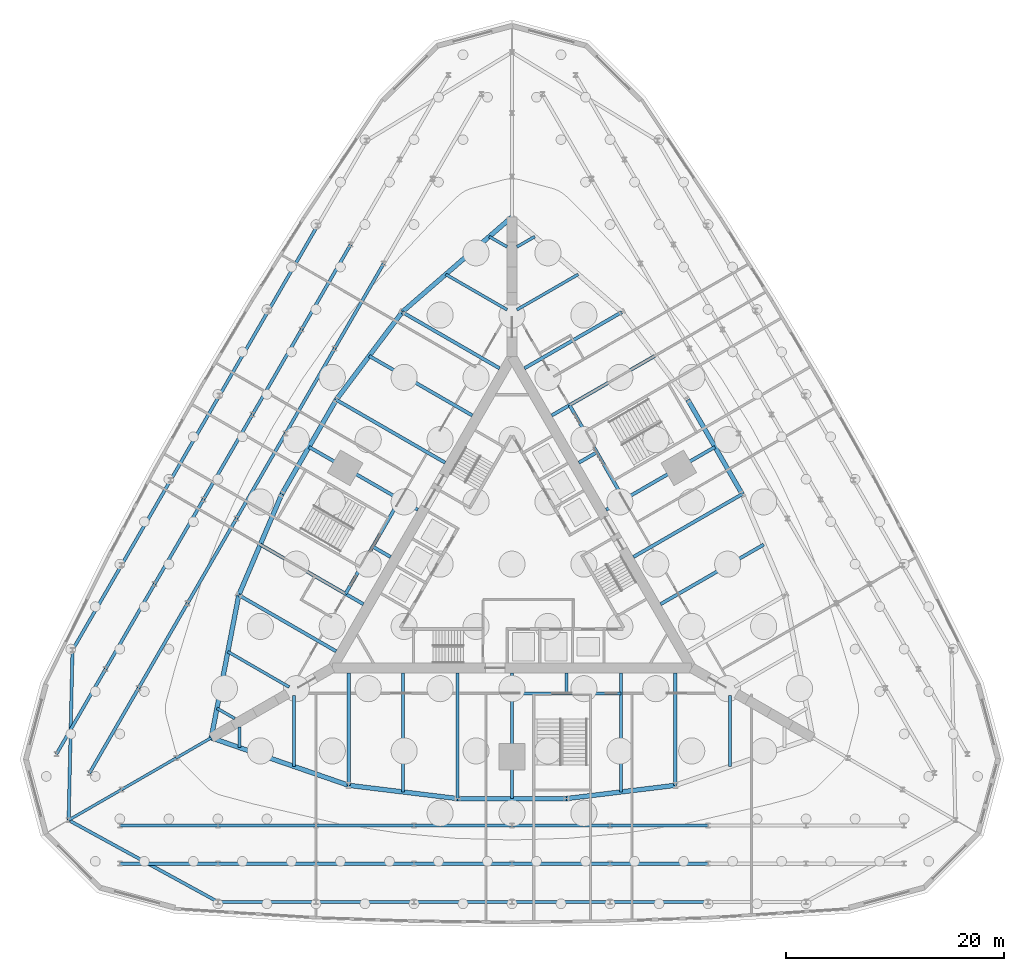
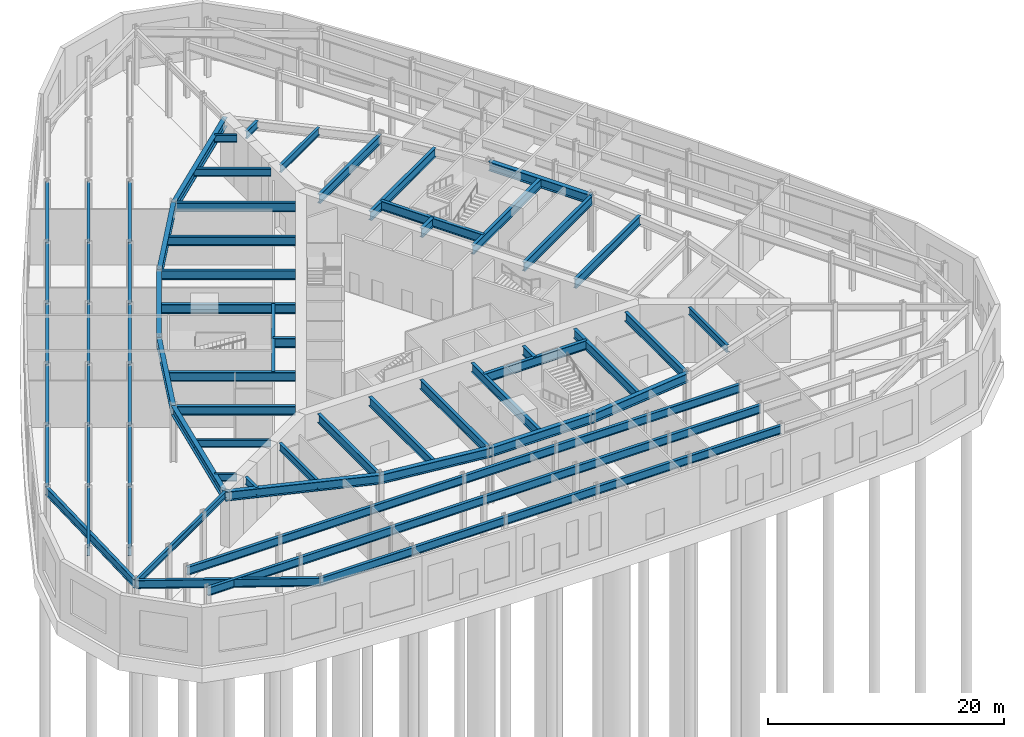
# One storey, part 7 of 17: 81 beams.
"""IFC4 building model written with IfcOpenShell, lengths in metres."""

from ifc_helpers import new_model, si_unit, direction, frame, origin, origin_2d, place, context, subcontext, project, spatial, i_section, extrude, material, material_profile, profile_set, type_object, element, save


model = new_model("IFC4")

# Units and contexts
model_context = context("Model", 3, precision=1e-05, world=origin(), true_north=direction((0.0, 1.0)))
body_context = subcontext(model_context, "Body", "Model", "MODEL_VIEW")
ifc_project = project(units=[si_unit("LENGTHUNIT", "METRE"), si_unit("AREAUNIT", "SQUARE_METRE"), si_unit("VOLUMEUNIT", "CUBIC_METRE"), si_unit("PLANEANGLEUNIT", "RADIAN"), si_unit("MASSUNIT", "GRAM", prefix="KILO")], contexts=[model_context])

# Site, building, storey
site_placement = place(None, origin())
site = spatial("IfcSite", under=ifc_project, at=site_placement, CompositionType="ELEMENT")
building_placement = place(site_placement, origin())
building = spatial("IfcBuilding", under=site, at=building_placement, Name="Trikona Tower", CompositionType="ELEMENT")
storey_placement = place(building_placement, origin())
storey = spatial("IfcBuildingStorey", under=building, at=storey_placement, Name="L00", CompositionType="ELEMENT", Elevation=0.0)

# Beams
ifc_material_1 = material(Name="Steel ASTM A992 Grade 50", Category="steel")
ifc_material_profile_1 = material_profile(ifc_material_1, i_section(OverallWidth=0.25390625, OverallDepth=0.683349609375, WebThickness=0.012451171875, FlangeThickness=0.01904296875, at=origin_2d()), Name="W27X94")
ifc_profile_set_1 = profile_set([ifc_material_profile_1], Name="Steel ASTM A992 Grade 50")
beam_type_1 = type_object("IfcBeamType", Name="Steel beam W27x94 (pod radial)", PredefinedType="BEAM", material=ifc_profile_set_1)
beam_1_placement = place(storey_placement, frame((-35.853515625, -20.699951171875, 5.408447265625), z_axis=(-0.866015695474, -0.500016814911, 0.0), x_axis=(0.500016814911, -0.866015695474, 0.0)))
element("IfcBeam", 1, at=beam_1_placement, inside=storey, type_object=beam_type_1, Name="Podium beam L01 CB20", PredefinedType="BEAM", context=body_context, shape_type="SweptSolid", body=[
    extrude(i_section(OverallWidth=0.25390625, OverallDepth=0.683349609375, WebThickness=0.012451171875, FlangeThickness=0.01904296875, at=origin_2d()), origin(), (0.0, 0.0, 1.0), 5.599853515625),
])
beam_2_placement = place(storey_placement, frame((-30.83056640625, -17.800048828125, 5.408447265625), z_axis=(-0.866032775405, -0.499987231761, 0.0), x_axis=(0.499987231761, -0.866032775405, 0.0)))
element("IfcBeam", 2, at=beam_2_placement, inside=storey, type_object=beam_type_1, Name="Podium beam L01 CB21", PredefinedType="BEAM", context=body_context, shape_type="SweptSolid", body=[
    extrude(i_section(OverallWidth=0.25390625, OverallDepth=0.683349609375, WebThickness=0.012451171875, FlangeThickness=0.01904296875, at=origin_2d()), origin(), (0.0, 0.0, 1.0), 5.800048828125),
])
beam_3_placement = place(storey_placement, frame((-27.612060546875, -15.94189453125, 5.408447265625), z_axis=(-0.866031337506, -0.499989722352, 0.0), x_axis=(0.499989722352, -0.866031337506, 0.0)))
element("IfcBeam", 3, at=beam_3_placement, inside=storey, type_object=beam_type_1, Name="Podium beam L01 RKK2D35.6", PredefinedType="BEAM", context=body_context, shape_type="SweptSolid", body=[
    extrude(i_section(OverallWidth=0.25390625, OverallDepth=0.683349609375, WebThickness=0.012451171875, FlangeThickness=0.01904296875, at=origin_2d()), origin(), (0.0, 0.0, 1.0), 3.71630859375),
])
ifc_material_2 = material(Name="Steel ASTM A992 Grade 50", Category="steel")
ifc_material_profile_2 = material_profile(ifc_material_2, i_section(OverallWidth=0.2666015625, OverallDepth=0.76953125, WebThickness=0.015625, FlangeThickness=0.025390625, at=origin_2d()), Name="W30X132")
ifc_profile_set_2 = profile_set([ifc_material_profile_2], Name="Steel ASTM A992 Grade 50")
beam_type_2 = type_object("IfcBeamType", Name="Steel beam W30x132 (wedge)", PredefinedType="BEAM", material=ifc_profile_set_2)
beam_4_placement = place(storey_placement, frame((-25.0, -14.953369140625, 5.365234375), z_axis=(0.0, -1.0, 0.0), x_axis=(1.0, 0.0, 0.0)))
element("IfcBeam", 4, at=beam_4_placement, inside=storey, type_object=beam_type_2, Name="Floor beam L01 F1 u-25", PredefinedType="BEAM", context=body_context, shape_type="SweptSolid", body=[
    extrude(i_section(OverallWidth=0.2666015625, OverallDepth=0.76953125, WebThickness=0.015625, FlangeThickness=0.025390625, at=origin_2d()), origin(), (0.0, 0.0, 1.0), 1.890380859375),
])
for number, where, z_axis, x_axis, name in (
    (5, (-20.0, -12.066650390625, 5.365234375), (0.0, -1.0, 0.0), (1.0, 0.0, 0.0), "Floor beam L01 F1 u-20"),
    (6, (20.0, -12.066650390625, 5.365234375), (0.0, -1.0, 0.0), (1.0, 0.0, 0.0), "Floor beam L01 F1 u20"),
    (7, (0.449951171875, 23.353759765625, 5.365234375), (0.866022504693, 0.50000502134, 0.0), (-0.50000502134, 0.866022504693, 0.0), "Floor beam L01 F2 u20"),
):
    element("IfcBeam", number, at=place(storey_placement, frame(where, z_axis=z_axis, x_axis=x_axis)), inside=storey, type_object=beam_type_2, Name=name, PredefinedType="BEAM", context=body_context, shape_type="SweptSolid", body=[
        extrude(i_section(OverallWidth=0.2666015625, OverallDepth=0.76953125, WebThickness=0.015625, FlangeThickness=0.025390625, at=origin_2d()), origin(), (0.0, 0.0, 1.0), 6.5068359375),
    ])
for number, where, z_axis, x_axis, name in (
    (8, (0.449951171875, 29.127197265625, 5.365234375), (0.866009237431, 0.5000279999, 0.0), (-0.5000279999, 0.866009237431, 0.0), "Floor beam L01 F2 u25"),
    (9, (-0.449951171875, 29.127197265625, 5.365234375), (-0.866009237431, 0.5000279999, 0.0), (-0.5000279999, -0.866009237431, 0.0), "Floor beam L01 F3 u-25"),
):
    element("IfcBeam", number, at=place(storey_placement, frame(where, z_axis=z_axis, x_axis=x_axis)), inside=storey, type_object=beam_type_2, Name=name, PredefinedType="BEAM", context=body_context, shape_type="SweptSolid", body=[
        extrude(i_section(OverallWidth=0.2666015625, OverallDepth=0.76953125, WebThickness=0.015625, FlangeThickness=0.025390625, at=origin_2d()), origin(), (0.0, 0.0, 1.0), 1.890625),
    ])
for number, where, z_axis, x_axis, name in (
    (10, (-0.449951171875, 23.353759765625, 5.365234375), (-0.866022504693, 0.50000502134, 0.0), (-0.50000502134, -0.866022504693, 0.0), "Floor beam L01 F3 u-20"),
    (11, (-20.449951171875, -11.287109375, 5.365234375), (-0.866022504693, 0.50000502134, 0.0), (-0.50000502134, -0.866022504693, 0.0), "Floor beam L01 F3 u20"),
):
    element("IfcBeam", number, at=place(storey_placement, frame(where, z_axis=z_axis, x_axis=x_axis)), inside=storey, type_object=beam_type_2, Name=name, PredefinedType="BEAM", context=body_context, shape_type="SweptSolid", body=[
        extrude(i_section(OverallWidth=0.2666015625, OverallDepth=0.76953125, WebThickness=0.015625, FlangeThickness=0.025390625, at=origin_2d()), origin(), (0.0, 0.0, 1.0), 6.5068359375),
    ])
beam_5_placement = place(storey_placement, frame((-25.449951171875, -14.173828125, 5.365234375), z_axis=(-0.866065156741, 0.499931139538, 0.0), x_axis=(-0.499931139538, -0.866065156741, 0.0)))
element("IfcBeam", 12, at=beam_5_placement, inside=storey, type_object=beam_type_2, Name="Floor beam L01 F3 u25", PredefinedType="BEAM", context=body_context, shape_type="SweptSolid", body=[
    extrude(i_section(OverallWidth=0.2666015625, OverallDepth=0.76953125, WebThickness=0.015625, FlangeThickness=0.025390625, at=origin_2d()), origin(), (0.0, 0.0, 1.0), 1.890380859375),
])
ifc_material_3 = material(Name="Steel ASTM A992 Grade 50", Category="steel")
ifc_material_profile_3 = material_profile(ifc_material_3, i_section(OverallWidth=0.2919921875, OverallDepth=0.845703125, WebThickness=0.015380859375, FlangeThickness=0.0244140625, at=origin_2d()), Name="W33X141")
ifc_profile_set_3 = profile_set([ifc_material_profile_3], Name="Steel ASTM A992 Grade 50")
beam_type_3 = type_object("IfcBeamType", Name="Steel beam W33x141 (pod girder)", PredefinedType="BEAM", material=ifc_profile_set_3)
for number, where, z_axis, x_axis, name in (
    (13, (-36.0, -24.0, 5.3271484375), (1.0, 0.0, 0.0), (0.0, 1.0, 0.0), "Podium beam L01 GR24F0m36-R24F0m27"),
    (14, (-27.0, -24.0, 5.3271484375), (1.0, 0.0, 0.0), (0.0, 1.0, 0.0), "Podium beam L01 GR24F0m27-R24F0m18"),
    (15, (-18.0, -24.0, 5.3271484375), (1.0, 0.0, 0.0), (0.0, 1.0, 0.0), "Podium beam L01 GR24F0m18-R24F0m9"),
    (16, (-9.0, -24.0, 5.3271484375), (1.0, 0.0, 0.0), (0.0, 1.0, 0.0), "Podium beam L01 GR24F0m9-R24F0p0"),
    (17, (0.0, -24.0, 5.3271484375), (1.0, 0.0, 0.0), (0.0, 1.0, 0.0), "Podium beam L01 GR24F0p0-R24F0p9"),
    (18, (9.0, -24.0, 5.3271484375), (1.0, 0.0, 0.0), (0.0, 1.0, 0.0), "Podium beam L01 GR24F0p9-R24F0p18"),
    (19, (-36.0, -27.5, 5.3271484375), (1.0, 0.0, 0.0), (0.0, 1.0, 0.0), "Podium beam L01 GR27.5F0m36-R27.5F0m27"),
    (20, (-27.0, -27.5, 5.3271484375), (1.0, 0.0, 0.0), (0.0, 1.0, 0.0), "Podium beam L01 GR27.5F0m27-R27.5F0m18"),
    (21, (-18.0, -27.5, 5.3271484375), (1.0, 0.0, 0.0), (0.0, 1.0, 0.0), "Podium beam L01 GR27.5F0m18-R27.5F0m9"),
    (22, (-9.0, -27.5, 5.3271484375), (1.0, 0.0, 0.0), (0.0, 1.0, 0.0), "Podium beam L01 GR27.5F0m9-R27.5F0p0"),
    (23, (0.0, -27.5, 5.3271484375), (1.0, 0.0, 0.0), (0.0, 1.0, 0.0), "Podium beam L01 GR27.5F0p0-R27.5F0p9"),
    (24, (9.0, -27.5, 5.3271484375), (1.0, 0.0, 0.0), (0.0, 1.0, 0.0), "Podium beam L01 GR27.5F0p9-R27.5F0p18"),
    (25, (-27.0, -31.0, 5.3271484375), (1.0, 0.0, 0.0), (0.0, 1.0, 0.0), "Podium beam L01 GR31F0m27-R31F0m18"),
    (26, (-18.0, -31.0, 5.3271484375), (1.0, 0.0, 0.0), (0.0, 1.0, 0.0), "Podium beam L01 GR31F0m18-R31F0m9"),
    (27, (-9.0, -31.0, 5.3271484375), (1.0, 0.0, 0.0), (0.0, 1.0, 0.0), "Podium beam L01 GR31F0m9-R31F0p0"),
    (28, (0.0, -31.0, 5.3271484375), (1.0, 0.0, 0.0), (0.0, 1.0, 0.0), "Podium beam L01 GR31F0p0-R31F0p9"),
    (29, (9.0, -31.0, 5.3271484375), (1.0, 0.0, 0.0), (0.0, 1.0, 0.0), "Podium beam L01 GR31F0p9-R31F0p18"),
    (30, (-11.78466796875, 27.58837890625, 5.3271484375), (-0.5000018851, -0.866024315419, 0.0), (0.866024315419, -0.5000018851, 0.0), "Podium beam L01 GR24F2m18-R24F2m9"),
    (31, (-16.28466796875, 19.794189453125, 5.3271484375), (-0.5000018851, -0.866024315419, 0.0), (0.866024315419, -0.5000018851, 0.0), "Podium beam L01 GR24F2m9-R24F2p0"),
    (32, (-20.78466796875, 12.0, 5.3271484375), (-0.5000018851, -0.866024315419, 0.0), (0.866024315419, -0.5000018851, 0.0), "Podium beam L01 GR24F2p0-R24F2p9"),
    (33, (-25.28466796875, 4.205810546875, 5.3271484375), (-0.5000018851, -0.866024315419, 0.0), (0.866024315419, -0.5000018851, 0.0), "Podium beam L01 GR24F2p9-R24F2p18"),
):
    element("IfcBeam", number, at=place(storey_placement, frame(where, z_axis=z_axis, x_axis=x_axis)), inside=storey, type_object=beam_type_3, Name=name, PredefinedType="BEAM", context=body_context, shape_type="SweptSolid", body=[
        extrude(i_section(OverallWidth=0.2919921875, OverallDepth=0.845703125, WebThickness=0.015380859375, FlangeThickness=0.0244140625, at=origin_2d()), origin(), (0.0, 0.0, 1.0), 9.0),
    ])
beam_6_placement = place(storey_placement, frame((-29.78466796875, -3.58837890625, 5.3271484375), z_axis=(-0.499990139034, -0.866031096941, 0.0), x_axis=(0.866031096941, -0.499990139034, 0.0)))
element("IfcBeam", 34, at=beam_6_placement, inside=storey, type_object=beam_type_3, Name="Podium beam L01 GR24F2p18-R24F2p27", PredefinedType="BEAM", context=body_context, shape_type="SweptSolid", body=[
    extrude(i_section(OverallWidth=0.2919921875, OverallDepth=0.845703125, WebThickness=0.015380859375, FlangeThickness=0.0244140625, at=origin_2d()), origin(), (0.0, 0.0, 1.0), 9.000244140625),
])
for number, where, z_axis, x_axis, name in (
    (35, (-34.28466796875, -11.3828125, 5.3271484375), (-0.5000018851, -0.866024315419, 0.0), (0.866024315419, -0.5000018851, 0.0), "Podium beam L01 GR24F2p27-R24F2p36"),
    (36, (-14.815673828125, 29.33837890625, 5.3271484375), (-0.5000018851, -0.866024315419, 0.0), (0.866024315419, -0.5000018851, 0.0), "Podium beam L01 GR27.5F2m18-R27.5F2m9"),
    (37, (-19.315673828125, 21.544189453125, 5.3271484375), (-0.5000018851, -0.866024315419, 0.0), (0.866024315419, -0.5000018851, 0.0), "Podium beam L01 GR27.5F2m9-R27.5F2p0"),
    (38, (-23.815673828125, 13.75, 5.3271484375), (-0.5000018851, -0.866024315419, 0.0), (0.866024315419, -0.5000018851, 0.0), "Podium beam L01 GR27.5F2p0-R27.5F2p9"),
    (39, (-28.315673828125, 5.955810546875, 5.3271484375), (-0.5000018851, -0.866024315419, 0.0), (0.866024315419, -0.5000018851, 0.0), "Podium beam L01 GR27.5F2p9-R27.5F2p18"),
):
    element("IfcBeam", number, at=place(storey_placement, frame(where, z_axis=z_axis, x_axis=x_axis)), inside=storey, type_object=beam_type_3, Name=name, PredefinedType="BEAM", context=body_context, shape_type="SweptSolid", body=[
        extrude(i_section(OverallWidth=0.2919921875, OverallDepth=0.845703125, WebThickness=0.015380859375, FlangeThickness=0.0244140625, at=origin_2d()), origin(), (0.0, 0.0, 1.0), 9.0),
    ])
beam_7_placement = place(storey_placement, frame((-32.815673828125, -1.83837890625, 5.3271484375), z_axis=(-0.499990139034, -0.866031096941, 0.0), x_axis=(0.866031096941, -0.499990139034, 0.0)))
element("IfcBeam", 40, at=beam_7_placement, inside=storey, type_object=beam_type_3, Name="Podium beam L01 GR27.5F2p18-R27.5F2p27", PredefinedType="BEAM", context=body_context, shape_type="SweptSolid", body=[
    extrude(i_section(OverallWidth=0.2919921875, OverallDepth=0.845703125, WebThickness=0.015380859375, FlangeThickness=0.0244140625, at=origin_2d()), origin(), (0.0, 0.0, 1.0), 9.000244140625),
])
for number, where, z_axis, x_axis, name in (
    (41, (-37.315673828125, -9.6328125, 5.3271484375), (-0.5000018851, -0.866024315419, 0.0), (0.866024315419, -0.5000018851, 0.0), "Podium beam L01 GR27.5F2p27-R27.5F2p36"),
    (42, (-17.8466796875, 31.08837890625, 5.3271484375), (-0.5000018851, -0.866024315419, 0.0), (0.866024315419, -0.5000018851, 0.0), "Podium beam L01 GR31F2m18-R31F2m9"),
    (43, (-22.3466796875, 23.294189453125, 5.3271484375), (-0.5000018851, -0.866024315419, 0.0), (0.866024315419, -0.5000018851, 0.0), "Podium beam L01 GR31F2m9-R31F2p0"),
    (44, (-26.8466796875, 15.5, 5.3271484375), (-0.5000018851, -0.866024315419, 0.0), (0.866024315419, -0.5000018851, 0.0), "Podium beam L01 GR31F2p0-R31F2p9"),
    (45, (-31.3466796875, 7.705810546875, 5.3271484375), (-0.5000018851, -0.866024315419, 0.0), (0.866024315419, -0.5000018851, 0.0), "Podium beam L01 GR31F2p9-R31F2p18"),
):
    element("IfcBeam", number, at=place(storey_placement, frame(where, z_axis=z_axis, x_axis=x_axis)), inside=storey, type_object=beam_type_3, Name=name, PredefinedType="BEAM", context=body_context, shape_type="SweptSolid", body=[
        extrude(i_section(OverallWidth=0.2919921875, OverallDepth=0.845703125, WebThickness=0.015380859375, FlangeThickness=0.0244140625, at=origin_2d()), origin(), (0.0, 0.0, 1.0), 9.0),
    ])
beam_8_placement = place(storey_placement, frame((-35.8466796875, -0.08837890625, 5.3271484375), z_axis=(-0.499990139034, -0.866031096941, 0.0), x_axis=(0.866031096941, -0.499990139034, 0.0)))
element("IfcBeam", 46, at=beam_8_placement, inside=storey, type_object=beam_type_3, Name="Podium beam L01 GR31F2p18-R31F2p27", PredefinedType="BEAM", context=body_context, shape_type="SweptSolid", body=[
    extrude(i_section(OverallWidth=0.2919921875, OverallDepth=0.845703125, WebThickness=0.015380859375, FlangeThickness=0.0244140625, at=origin_2d()), origin(), (0.0, 0.0, 1.0), 9.000244140625),
])
for number, where, z_axis, x_axis, name in (
    (47, (-40.703125, -23.5, 5.3271484375), (0.022817969436, 0.999739636241, 0.0), (-0.999739636241, 0.022817969436, 0.0), "Podium beam L01 CK2D47-R31F2p27"),
    (48, (-40.703125, -23.5, 5.3271484375), (0.877206606487, -0.480113079947, 0.0), (0.480113079947, 0.877206606487, 0.0), "Podium beam L01 CK2D47-R31F0m27"),
):
    element("IfcBeam", number, at=place(storey_placement, frame(where, z_axis=z_axis, x_axis=x_axis)), inside=storey, type_object=beam_type_3, Name=name, PredefinedType="BEAM", context=body_context, shape_type="SweptSolid", body=[
        extrude(i_section(OverallWidth=0.2919921875, OverallDepth=0.845703125, WebThickness=0.015380859375, FlangeThickness=0.0244140625, at=origin_2d()), origin(), (0.0, 0.0, 1.0), 15.621337890625),
    ])
ifc_material_4 = material(Name="Steel ASTM A992 Grade 50", Category="steel")
ifc_material_profile_4 = material_profile(ifc_material_4, i_section(OverallWidth=0.307373046875, OverallDepth=0.9423828125, WebThickness=0.022216796875, FlangeThickness=0.039794921875, at=origin_2d()), Name="W36X232")
ifc_profile_set_4 = profile_set([ifc_material_profile_4], Name="Steel ASTM A992 Grade 50")
beam_type_4 = type_object("IfcBeamType", Name="Steel beam W36x232 (radial low)", PredefinedType="BEAM", material=ifc_profile_set_4)
beam_9_placement = place(storey_placement, frame((-15.0, -9.976318359375, 5.27880859375), z_axis=(0.0, -1.0, 0.0), x_axis=(1.0, 0.0, 0.0)))
element("IfcBeam", 49, at=beam_9_placement, inside=storey, type_object=beam_type_4, Name="Floor beam L01 F1 u-15", PredefinedType="BEAM", context=body_context, shape_type="SweptSolid", body=[
    extrude(i_section(OverallWidth=0.307373046875, OverallDepth=0.9423828125, WebThickness=0.022216796875, FlangeThickness=0.039794921875, at=origin_2d()), origin(), (0.0, 0.0, 1.0), 10.32666015625),
])
beam_10_placement = place(storey_placement, frame((-10.0, -9.976318359375, 5.27880859375), z_axis=(0.0, -1.0, 0.0), x_axis=(1.0, 0.0, 0.0)))
element("IfcBeam", 50, at=beam_10_placement, inside=storey, type_object=beam_type_4, Name="Floor beam L01 F1 u-10", PredefinedType="BEAM", context=body_context, shape_type="SweptSolid", body=[
    extrude(i_section(OverallWidth=0.307373046875, OverallDepth=0.9423828125, WebThickness=0.022216796875, FlangeThickness=0.039794921875, at=origin_2d()), origin(), (0.0, 0.0, 1.0), 10.935302734375),
])
for number, where, z_axis, x_axis, name in (
    (51, (-5.0, -9.976318359375, 5.27880859375), (0.0, -1.0, 0.0), (1.0, 0.0, 0.0), "Floor beam L01 F1 u-5"),
    (52, (0.0, -9.976318359375, 5.27880859375), (0.0, -1.0, 0.0), (1.0, 0.0, 0.0), "Floor beam L01 F1 u0"),
):
    element("IfcBeam", number, at=place(storey_placement, frame(where, z_axis=z_axis, x_axis=x_axis)), inside=storey, type_object=beam_type_4, Name=name, PredefinedType="BEAM", context=body_context, shape_type="SweptSolid", body=[
        extrude(i_section(OverallWidth=0.307373046875, OverallDepth=0.9423828125, WebThickness=0.022216796875, FlangeThickness=0.039794921875, at=origin_2d()), origin(), (0.0, 0.0, 1.0), 11.544189453125),
    ])
beam_11_placement = place(storey_placement, frame((5.0, -9.976318359375, 5.27880859375), z_axis=(0.0, -1.0, 0.0), x_axis=(1.0, 0.0, 0.0)))
element("IfcBeam", 53, at=beam_11_placement, inside=storey, type_object=beam_type_4, Name="Floor beam L01 F1 u5", PredefinedType="BEAM", context=body_context, shape_type="SweptSolid", body=[
    extrude(i_section(OverallWidth=0.307373046875, OverallDepth=0.9423828125, WebThickness=0.022216796875, FlangeThickness=0.039794921875, at=origin_2d()), origin(), (0.0, 0.0, 1.0), 1.89990234375),
])
beam_12_placement = place(storey_placement, frame((10.0, -9.976318359375, 5.27880859375), z_axis=(0.0, -1.0, 0.0), x_axis=(1.0, 0.0, 0.0)))
element("IfcBeam", 54, at=beam_12_placement, inside=storey, type_object=beam_type_4, Name="Floor beam L01 F1 u10", PredefinedType="BEAM", context=body_context, shape_type="SweptSolid", body=[
    extrude(i_section(OverallWidth=0.307373046875, OverallDepth=0.9423828125, WebThickness=0.022216796875, FlangeThickness=0.039794921875, at=origin_2d()), origin(), (0.0, 0.0, 1.0), 10.935302734375),
])
beam_13_placement = place(storey_placement, frame((15.0, -9.976318359375, 5.27880859375), z_axis=(0.0, -1.0, 0.0), x_axis=(1.0, 0.0, 0.0)))
element("IfcBeam", 55, at=beam_13_placement, inside=storey, type_object=beam_type_4, Name="Floor beam L01 F1 u15", PredefinedType="BEAM", context=body_context, shape_type="SweptSolid", body=[
    extrude(i_section(OverallWidth=0.307373046875, OverallDepth=0.9423828125, WebThickness=0.022216796875, FlangeThickness=0.039794921875, at=origin_2d()), origin(), (0.0, 0.0, 1.0), 10.32666015625),
])
beam_14_placement = place(storey_placement, frame((0.0, -11.876220703125, 5.27880859375), z_axis=(1.0, 0.0, 0.0), x_axis=(0.0, 1.0, 0.0)))
element("IfcBeam", 56, at=beam_14_placement, inside=storey, type_object=beam_type_4, Name="Trimmer beam L01 F1 podium stair", PredefinedType="BEAM", context=body_context, shape_type="SweptSolid", body=[
    extrude(i_section(OverallWidth=0.307373046875, OverallDepth=0.9423828125, WebThickness=0.022216796875, FlangeThickness=0.039794921875, at=origin_2d()), origin(), (0.0, 0.0, 1.0), 10.0),
])
beam_15_placement = place(storey_placement, frame((13.6396484375, -3.672119140625, 5.27880859375), z_axis=(0.866025348605, 0.500000095573, 0.0), x_axis=(-0.500000095573, 0.866025348605, 0.0)))
element("IfcBeam", 57, at=beam_15_placement, inside=storey, type_object=beam_type_4, Name="Floor beam L01 F2 u-10", PredefinedType="BEAM", context=body_context, shape_type="SweptSolid", body=[
    extrude(i_section(OverallWidth=0.307373046875, OverallDepth=0.9423828125, WebThickness=0.022216796875, FlangeThickness=0.039794921875, at=origin_2d()), origin(), (0.0, 0.0, 1.0), 10.935546875),
])
for number, where, z_axis, x_axis, name in (
    (58, (11.1396484375, 0.657958984375, 5.27880859375), (0.866020765707, 0.500008033299, 0.0), (-0.500008033299, 0.866020765707, 0.0), "Floor beam L01 F2 u-5"),
    (59, (8.6396484375, 4.988037109375, 5.27880859375), (0.866020765707, 0.500008033299, 0.0), (-0.500008033299, 0.866020765707, 0.0), "Floor beam L01 F2 u0"),
):
    element("IfcBeam", number, at=place(storey_placement, frame(where, z_axis=z_axis, x_axis=x_axis)), inside=storey, type_object=beam_type_4, Name=name, PredefinedType="BEAM", context=body_context, shape_type="SweptSolid", body=[
        extrude(i_section(OverallWidth=0.307373046875, OverallDepth=0.9423828125, WebThickness=0.022216796875, FlangeThickness=0.039794921875, at=origin_2d()), origin(), (0.0, 0.0, 1.0), 11.544189453125),
    ])
beam_16_placement = place(storey_placement, frame((6.1396484375, 9.318359375, 5.27880859375), z_axis=(0.866044365799, 0.499967155389, 0.0), x_axis=(-0.499967155389, 0.866044365799, 0.0)))
element("IfcBeam", 60, at=beam_16_placement, inside=storey, type_object=beam_type_4, Name="Floor beam L01 F2 u5", PredefinedType="BEAM", context=body_context, shape_type="SweptSolid", body=[
    extrude(i_section(OverallWidth=0.307373046875, OverallDepth=0.9423828125, WebThickness=0.022216796875, FlangeThickness=0.039794921875, at=origin_2d()), origin(), (0.0, 0.0, 1.0), 1.900146484375),
])
beam_17_placement = place(storey_placement, frame((3.6396484375, 13.6484375, 5.27880859375), z_axis=(0.866025348605, 0.500000095573, 0.0), x_axis=(-0.500000095573, 0.866025348605, 0.0)))
element("IfcBeam", 61, at=beam_17_placement, inside=storey, type_object=beam_type_4, Name="Floor beam L01 F2 u10", PredefinedType="BEAM", context=body_context, shape_type="SweptSolid", body=[
    extrude(i_section(OverallWidth=0.307373046875, OverallDepth=0.9423828125, WebThickness=0.022216796875, FlangeThickness=0.039794921875, at=origin_2d()), origin(), (0.0, 0.0, 1.0), 10.935546875),
])
beam_18_placement = place(storey_placement, frame((1.1396484375, 17.978515625, 5.27880859375), z_axis=(0.866030471684, 0.499991222037, 0.0), x_axis=(-0.499991222037, 0.866030471684, 0.0)))
element("IfcBeam", 62, at=beam_18_placement, inside=storey, type_object=beam_type_4, Name="Floor beam L01 F2 u15", PredefinedType="BEAM", context=body_context, shape_type="SweptSolid", body=[
    extrude(i_section(OverallWidth=0.307373046875, OverallDepth=0.9423828125, WebThickness=0.022216796875, FlangeThickness=0.039794921875, at=origin_2d()), origin(), (0.0, 0.0, 1.0), 10.326904296875),
])
beam_19_placement = place(storey_placement, frame((10.28515625, 5.93798828125, 5.27880859375), z_axis=(-0.499993662806, 0.866029062534, 0.0), x_axis=(-0.866029062534, -0.499993662806, 0.0)))
element("IfcBeam", 63, at=beam_19_placement, inside=storey, type_object=beam_type_4, Name="Trimmer beam L01 F2 podium stair", PredefinedType="BEAM", context=body_context, shape_type="SweptSolid", body=[
    extrude(i_section(OverallWidth=0.307373046875, OverallDepth=0.9423828125, WebThickness=0.022216796875, FlangeThickness=0.039794921875, at=origin_2d()), origin(), (0.0, 0.0, 1.0), 10.000244140625),
])
beam_20_placement = place(storey_placement, frame((-1.1396484375, 17.978515625, 5.27880859375), z_axis=(-0.866030471684, 0.499991222037, 0.0), x_axis=(-0.499991222037, -0.866030471684, 0.0)))
element("IfcBeam", 64, at=beam_20_placement, inside=storey, type_object=beam_type_4, Name="Floor beam L01 F3 u-15", PredefinedType="BEAM", context=body_context, shape_type="SweptSolid", body=[
    extrude(i_section(OverallWidth=0.307373046875, OverallDepth=0.9423828125, WebThickness=0.022216796875, FlangeThickness=0.039794921875, at=origin_2d()), origin(), (0.0, 0.0, 1.0), 10.326904296875),
])
beam_21_placement = place(storey_placement, frame((-3.6396484375, 13.6484375, 5.27880859375), z_axis=(-0.866025348605, 0.500000095573, 0.0), x_axis=(-0.500000095573, -0.866025348605, 0.0)))
element("IfcBeam", 65, at=beam_21_placement, inside=storey, type_object=beam_type_4, Name="Floor beam L01 F3 u-10", PredefinedType="BEAM", context=body_context, shape_type="SweptSolid", body=[
    extrude(i_section(OverallWidth=0.307373046875, OverallDepth=0.9423828125, WebThickness=0.022216796875, FlangeThickness=0.039794921875, at=origin_2d()), origin(), (0.0, 0.0, 1.0), 10.935546875),
])
for number, where, z_axis, x_axis, name in (
    (66, (-6.1396484375, 9.318359375, 5.27880859375), (-0.866029923217, 0.499992172032, 0.0), (-0.499992172032, -0.866029923217, 0.0), "Floor beam L01 F3 u-5"),
    (67, (-8.6396484375, 4.988037109375, 5.27880859375), (-0.866020765707, 0.500008033299, 0.0), (-0.500008033299, -0.866020765707, 0.0), "Floor beam L01 F3 u0"),
):
    element("IfcBeam", number, at=place(storey_placement, frame(where, z_axis=z_axis, x_axis=x_axis)), inside=storey, type_object=beam_type_4, Name=name, PredefinedType="BEAM", context=body_context, shape_type="SweptSolid", body=[
        extrude(i_section(OverallWidth=0.307373046875, OverallDepth=0.9423828125, WebThickness=0.022216796875, FlangeThickness=0.039794921875, at=origin_2d()), origin(), (0.0, 0.0, 1.0), 11.544189453125),
    ])
beam_22_placement = place(storey_placement, frame((-11.1396484375, 0.657958984375, 5.27880859375), z_axis=(-0.866044365799, 0.499967155389, 0.0), x_axis=(-0.499967155389, -0.866044365799, 0.0)))
element("IfcBeam", 68, at=beam_22_placement, inside=storey, type_object=beam_type_4, Name="Floor beam L01 F3 u5", PredefinedType="BEAM", context=body_context, shape_type="SweptSolid", body=[
    extrude(i_section(OverallWidth=0.307373046875, OverallDepth=0.9423828125, WebThickness=0.022216796875, FlangeThickness=0.039794921875, at=origin_2d()), origin(), (0.0, 0.0, 1.0), 1.900146484375),
])
beam_23_placement = place(storey_placement, frame((-13.6396484375, -3.672119140625, 5.27880859375), z_axis=(-0.866025348605, 0.500000095573, 0.0), x_axis=(-0.500000095573, -0.866025348605, 0.0)))
element("IfcBeam", 69, at=beam_23_placement, inside=storey, type_object=beam_type_4, Name="Floor beam L01 F3 u10", PredefinedType="BEAM", context=body_context, shape_type="SweptSolid", body=[
    extrude(i_section(OverallWidth=0.307373046875, OverallDepth=0.9423828125, WebThickness=0.022216796875, FlangeThickness=0.039794921875, at=origin_2d()), origin(), (0.0, 0.0, 1.0), 10.935546875),
])
beam_24_placement = place(storey_placement, frame((-16.1396484375, -8.002197265625, 5.27880859375), z_axis=(-0.866030471684, 0.499991222037, 0.0), x_axis=(-0.499991222037, -0.866030471684, 0.0)))
element("IfcBeam", 70, at=beam_24_placement, inside=storey, type_object=beam_type_4, Name="Floor beam L01 F3 u15", PredefinedType="BEAM", context=body_context, shape_type="SweptSolid", body=[
    extrude(i_section(OverallWidth=0.307373046875, OverallDepth=0.9423828125, WebThickness=0.022216796875, FlangeThickness=0.039794921875, at=origin_2d()), origin(), (0.0, 0.0, 1.0), 10.326904296875),
])
beam_25_placement = place(storey_placement, frame((-10.28515625, 5.93798828125, 5.27880859375), z_axis=(-0.500004234368, -0.866022959057, 0.0), x_axis=(0.866022959057, -0.500004234368, 0.0)))
element("IfcBeam", 71, at=beam_25_placement, inside=storey, type_object=beam_type_4, Name="Trimmer beam L01 F3 podium stair", PredefinedType="BEAM", context=body_context, shape_type="SweptSolid", body=[
    extrude(i_section(OverallWidth=0.307373046875, OverallDepth=0.9423828125, WebThickness=0.022216796875, FlangeThickness=0.039794921875, at=origin_2d()), origin(), (0.0, 0.0, 1.0), 10.0),
])
ifc_material_5 = material(Name="Steel ASTM A992 Grade 50", Category="steel")
ifc_material_profile_5 = material_profile(ifc_material_5, i_section(OverallWidth=0.424072265625, OverallDepth=0.947509765625, WebThickness=0.02392578125, FlangeThickness=0.042724609375, at=origin_2d()), Name="W36X302")
ifc_profile_set_5 = profile_set([ifc_material_profile_5], Name="Steel ASTM A992 Grade 50")
beam_type_5 = type_object("IfcBeamType", Name="Steel beam W36x302 (pod tower spandrel)", PredefinedType="BEAM", material=ifc_profile_set_5)
beam_26_placement = place(storey_placement, frame((-27.6103515625, -15.94091796875, 5.2763671875), z_axis=(0.945056965739, -0.326905692071, 0.0), x_axis=(0.326905692071, 0.945056965739, 0.0)))
element("IfcBeam", 72, at=beam_26_placement, inside=storey, type_object=beam_type_5, Name="Spandrel beam L01 F1-1", PredefinedType="BEAM", context=body_context, shape_type="SweptSolid", body=[
    extrude(i_section(OverallWidth=0.424072265625, OverallDepth=0.947509765625, WebThickness=0.02392578125, FlangeThickness=0.042724609375, at=origin_2d()), origin(), (0.0, 0.0, 1.0), 13.343505859375),
])
beam_27_placement = place(storey_placement, frame((-15.0, -20.302978515625, 5.2763671875), z_axis=(0.99266951126, -0.120860421207, 0.0), x_axis=(0.120860421207, 0.99266951126, 0.0)))
element("IfcBeam", 73, at=beam_27_placement, inside=storey, type_object=beam_type_5, Name="Spandrel beam L01 F1-2", PredefinedType="BEAM", context=body_context, shape_type="SweptSolid", body=[
    extrude(i_section(OverallWidth=0.424072265625, OverallDepth=0.947509765625, WebThickness=0.02392578125, FlangeThickness=0.042724609375, at=origin_2d()), origin(), (0.0, 0.0, 1.0), 10.07373046875),
])
beam_28_placement = place(storey_placement, frame((-5.0, -21.5205078125, 5.2763671875), z_axis=(1.0, 0.0, 0.0), x_axis=(0.0, 1.0, 0.0)))
element("IfcBeam", 74, at=beam_28_placement, inside=storey, type_object=beam_type_5, Name="Spandrel beam L01 F1-3", PredefinedType="BEAM", context=body_context, shape_type="SweptSolid", body=[
    extrude(i_section(OverallWidth=0.424072265625, OverallDepth=0.947509765625, WebThickness=0.02392578125, FlangeThickness=0.042724609375, at=origin_2d()), origin(), (0.0, 0.0, 1.0), 10.0),
])
beam_29_placement = place(storey_placement, frame((5.0, -21.5205078125, 5.2763671875), z_axis=(0.99266951126, 0.120860421207, 0.0), x_axis=(-0.120860421207, 0.99266951126, 0.0)))
element("IfcBeam", 75, at=beam_29_placement, inside=storey, type_object=beam_type_5, Name="Spandrel beam L01 F1-4", PredefinedType="BEAM", context=body_context, shape_type="SweptSolid", body=[
    extrude(i_section(OverallWidth=0.424072265625, OverallDepth=0.947509765625, WebThickness=0.02392578125, FlangeThickness=0.042724609375, at=origin_2d()), origin(), (0.0, 0.0, 1.0), 10.07373046875),
])
beam_30_placement = place(storey_placement, frame((21.13720703125, 6.43017578125, 5.2763671875), z_axis=(-0.500004234368, 0.866022959057, 0.0), x_axis=(-0.866022959057, -0.500004234368, 0.0)))
element("IfcBeam", 76, at=beam_30_placement, inside=storey, type_object=beam_type_5, Name="Spandrel beam L01 F2-3", PredefinedType="BEAM", context=body_context, shape_type="SweptSolid", body=[
    extrude(i_section(OverallWidth=0.424072265625, OverallDepth=0.947509765625, WebThickness=0.02392578125, FlangeThickness=0.042724609375, at=origin_2d()), origin(), (0.0, 0.0, 1.0), 10.0),
])
beam_31_placement = place(storey_placement, frame((0.0, 31.881591796875, 5.2763671875), z_axis=(-0.755646822726, -0.654979296851, 0.0), x_axis=(0.654979296851, -0.755646822726, 0.0)))
element("IfcBeam", 77, at=beam_31_placement, inside=storey, type_object=beam_type_5, Name="Spandrel beam L01 F3-1", PredefinedType="BEAM", context=body_context, shape_type="SweptSolid", body=[
    extrude(i_section(OverallWidth=0.424072265625, OverallDepth=0.947509765625, WebThickness=0.02392578125, FlangeThickness=0.042724609375, at=origin_2d()), origin(), (0.0, 0.0, 1.0), 13.343505859375),
])
beam_32_placement = place(storey_placement, frame((-10.0830078125, 23.141845703125, 5.2763671875), z_axis=(-0.600988344191, -0.799257787042, 0.0), x_axis=(0.799257787042, -0.600988344191, 0.0)))
element("IfcBeam", 78, at=beam_32_placement, inside=storey, type_object=beam_type_5, Name="Spandrel beam L01 F3-2", PredefinedType="BEAM", context=body_context, shape_type="SweptSolid", body=[
    extrude(i_section(OverallWidth=0.424072265625, OverallDepth=0.947509765625, WebThickness=0.02392578125, FlangeThickness=0.042724609375, at=origin_2d()), origin(), (0.0, 0.0, 1.0), 10.07373046875),
])
beam_33_placement = place(storey_placement, frame((-16.13720703125, 15.09033203125, 5.2763671875), z_axis=(-0.500004234368, -0.866022959057, 0.0), x_axis=(0.866022959057, -0.500004234368, 0.0)))
element("IfcBeam", 79, at=beam_33_placement, inside=storey, type_object=beam_type_5, Name="Spandrel beam L01 F3-3", PredefinedType="BEAM", context=body_context, shape_type="SweptSolid", body=[
    extrude(i_section(OverallWidth=0.424072265625, OverallDepth=0.947509765625, WebThickness=0.02392578125, FlangeThickness=0.042724609375, at=origin_2d()), origin(), (0.0, 0.0, 1.0), 10.0),
])
beam_34_placement = place(storey_placement, frame((-21.13720703125, 6.43017578125, 5.2763671875), z_axis=(-0.391683514847, -0.920100007715, 0.0), x_axis=(0.920100007715, -0.391683514847, 0.0)))
element("IfcBeam", 80, at=beam_34_placement, inside=storey, type_object=beam_type_5, Name="Spandrel beam L01 F3-4", PredefinedType="BEAM", context=body_context, shape_type="SweptSolid", body=[
    extrude(i_section(OverallWidth=0.424072265625, OverallDepth=0.947509765625, WebThickness=0.02392578125, FlangeThickness=0.042724609375, at=origin_2d()), origin(), (0.0, 0.0, 1.0), 10.073974609375),
])
beam_35_placement = place(storey_placement, frame((-25.0830078125, -2.8388671875, 5.2763671875), z_axis=(-0.189405184036, -0.981899015307, 0.0), x_axis=(0.981899015307, -0.189405184036, 0.0)))
element("IfcBeam", 81, at=beam_35_placement, inside=storey, type_object=beam_type_5, Name="Spandrel beam L01 F3-5", PredefinedType="BEAM", context=body_context, shape_type="SweptSolid", body=[
    extrude(i_section(OverallWidth=0.424072265625, OverallDepth=0.947509765625, WebThickness=0.02392578125, FlangeThickness=0.042724609375, at=origin_2d()), origin(), (0.0, 0.0, 1.0), 13.343505859375),
])

save(model, "model.ifc")
